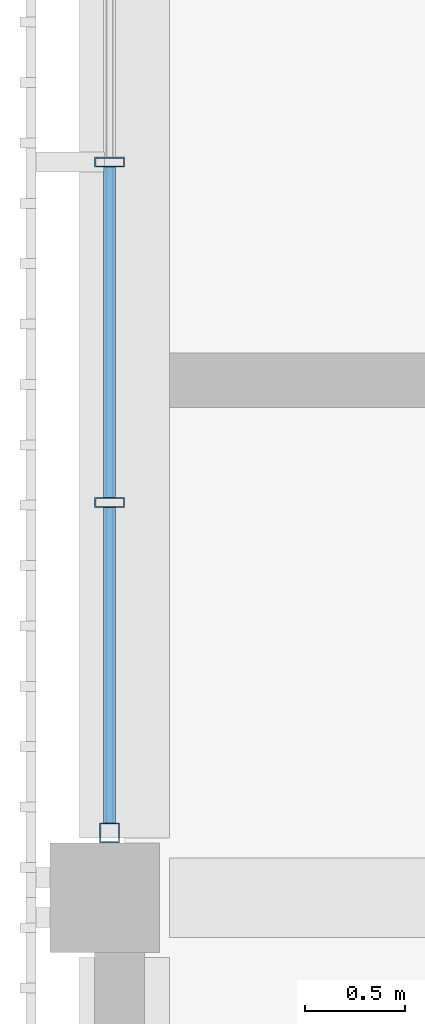
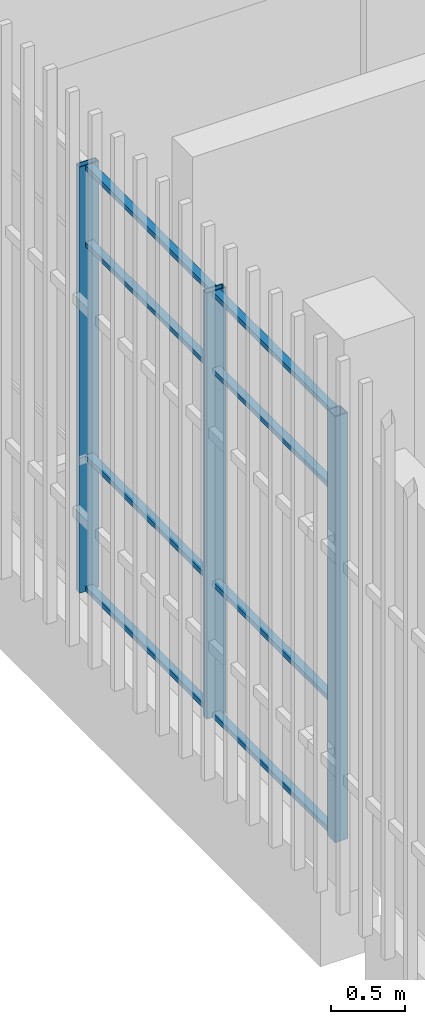
# One storey, part 7 of 124: 11 members, 1 element without a shape of its own.
"""IFC4 building model written with IfcOpenShell, lengths in metres."""

from ifc_helpers import new_model, si_unit, direction, frame, origin, origin_2d, place, context, subcontext, project, spatial, hollow_rectangle, extrude, material, layer, layer_set, material_profile, profile_set, type_object, element, aggregate, save


model = new_model("IFC4")

# Units and contexts
model_context = context("Model", 3, precision=1e-05, world=origin(), true_north=direction((0.0, 1.0)))
body_context = subcontext(model_context, "Body", "Model", "MODEL_VIEW")
ifc_project = project(units=[si_unit("LENGTHUNIT", "METRE"), si_unit("AREAUNIT", "SQUARE_METRE"), si_unit("VOLUMEUNIT", "CUBIC_METRE"), si_unit("PLANEANGLEUNIT", "RADIAN"), si_unit("MASSUNIT", "GRAM", prefix="KILO")], contexts=[model_context])

# Site, building, storey
site_placement = place(None, origin())
site = spatial("IfcSite", under=ifc_project, at=site_placement, CompositionType="ELEMENT")
building_placement = place(site_placement, origin())
building = spatial("IfcBuilding", under=site, at=building_placement, Name="Shirokan Park Arena", CompositionType="ELEMENT")
storey_placement = place(building_placement, frame((0.0, 0.0, 20.02001953125)))
storey = spatial("IfcBuildingStorey", under=building, at=storey_placement, Name="L04", CompositionType="ELEMENT", Elevation=20.02001953125)

# Curtain wall, members
ifc_material_1 = material(Name="Steel and glass curtain wall", Category="steel")
ifc_layer = layer(ifc_material_1, 0.14990234375)
ifc_layer_set = layer_set([ifc_layer], Name="Steel and glass curtain wall 150 mm")
curtain_wall_type = type_object("IfcCurtainWallType", Name="Curtain wall exposed bay 150", PredefinedType="NOTDEFINED", material=ifc_layer_set)
curtain_wall_placement = place(storey_placement, origin())
curtain_wall = element("IfcCurtainWall", 1, at=curtain_wall_placement, inside=storey, type_object=curtain_wall_type, Name="Curtain wall west bay 9 L04", PredefinedType="NOTDEFINED")
ifc_material_2 = material(Name="Steel S355", Category="steel")
ifc_material_profile_1 = material_profile(ifc_material_2, hollow_rectangle(XDim=0.10009765625, YDim=0.10009765625, WallThickness=0.006103515625, at=origin_2d()), Name="RHS 100x100x6")
ifc_profile_set_1 = profile_set([ifc_material_profile_1], Name="Steel S355")
member_type_1 = type_object("IfcMemberType", Name="Mullion RHS 100x100x6", PredefinedType="MULLION", material=ifc_profile_set_1)
member_1_placement = place(storey_placement, frame((-0.074951171875, 27.625, 0.0), z_axis=(0.0, 0.0, 1.0), x_axis=(1.0, 0.0, 0.0)))
member_1 = element("IfcMember", 2, at=member_1_placement, type_object=member_type_1, Name="CW1 mullion 6", PredefinedType="MULLION", context=body_context, shape_type="SweptSolid", body=[
    extrude(hollow_rectangle(XDim=0.10009765625, YDim=0.10009765625, WallThickness=0.006103515625, at=origin_2d()), origin(), (0.0, 0.0, 1.0), 3.5),
])
ifc_material_profile_2 = material_profile(ifc_material_2, hollow_rectangle(XDim=0.14990234375, YDim=0.050048828125, WallThickness=0.006103515625, at=origin_2d()), Name="RHS 150x50x6")
ifc_profile_set_2 = profile_set([ifc_material_profile_2], Name="Steel S355")
member_type_2 = type_object("IfcMemberType", Name="Mullion RHS 150x50x6", PredefinedType="MULLION", material=ifc_profile_set_2)
member_2_placement = place(storey_placement, frame((-0.074951171875, 30.9951171875, 0.0), z_axis=(0.0, 0.0, 1.0), x_axis=(1.0, 0.0, 0.0)))
member_2 = element("IfcMember", 3, at=member_2_placement, type_object=member_type_2, Name="CW1 mullion 4", PredefinedType="MULLION", context=body_context, shape_type="SweptSolid", body=[
    extrude(hollow_rectangle(XDim=0.14990234375, YDim=0.050048828125, WallThickness=0.006103515625, at=origin_2d()), origin(), (0.0, 0.0, 1.0), 3.5),
])
member_3_placement = place(storey_placement, frame((-0.074951171875, 29.284912109375, 0.0), z_axis=(0.0, 0.0, 1.0), x_axis=(1.0, 0.0, 0.0)))
member_3 = element("IfcMember", 4, at=member_3_placement, type_object=member_type_2, Name="CW1 mullion 5", PredefinedType="MULLION", context=body_context, shape_type="SweptSolid", body=[
    extrude(hollow_rectangle(XDim=0.14990234375, YDim=0.050048828125, WallThickness=0.006103515625, at=origin_2d()), origin(), (0.0, 0.0, 1.0), 3.5),
])
ifc_material_profile_3 = material_profile(ifc_material_2, hollow_rectangle(XDim=0.06005859375, YDim=0.0400390625, WallThickness=0.00390625, at=origin_2d()), Name="RHS 60x40x4")
ifc_profile_set_3 = profile_set([ifc_material_profile_3], Name="Steel S355")
member_type_3 = type_object("IfcMemberType", Name="Transom RHS 60x40x4", PredefinedType="MULLION", material=ifc_profile_set_3)
member_4_placement = place(storey_placement, frame((-0.074951171875, 30.969970703125, 0.02001953125), z_axis=(0.0, -1.0, 0.0), x_axis=(1.0, 0.0, 0.0)))
member_4 = element("IfcMember", 5, at=member_4_placement, type_object=member_type_3, Name="CW1 transom 4.1", PredefinedType="MULLION", context=body_context, shape_type="SweptSolid", body=[
    extrude(hollow_rectangle(XDim=0.06005859375, YDim=0.0400390625, WallThickness=0.00390625, at=origin_2d()), origin(), (0.0, 0.0, 1.0), 1.659912109375),
])
member_5_placement = place(storey_placement, frame((-0.074951171875, 30.969970703125, 1.10009765625), z_axis=(0.0, -1.0, 0.0), x_axis=(1.0, 0.0, 0.0)))
member_5 = element("IfcMember", 6, at=member_5_placement, type_object=member_type_3, Name="CW1 transom 4.2", PredefinedType="MULLION", context=body_context, shape_type="SweptSolid", body=[
    extrude(hollow_rectangle(XDim=0.06005859375, YDim=0.0400390625, WallThickness=0.00390625, at=origin_2d()), origin(), (0.0, 0.0, 1.0), 1.659912109375),
])
member_6_placement = place(storey_placement, frame((-0.074951171875, 30.969970703125, 2.85009765625), z_axis=(0.0, -1.0, 0.0), x_axis=(1.0, 0.0, 0.0)))
member_6 = element("IfcMember", 7, at=member_6_placement, type_object=member_type_3, Name="CW1 transom 4.3", PredefinedType="MULLION", context=body_context, shape_type="SweptSolid", body=[
    extrude(hollow_rectangle(XDim=0.06005859375, YDim=0.0400390625, WallThickness=0.00390625, at=origin_2d()), origin(), (0.0, 0.0, 1.0), 1.659912109375),
])
member_7_placement = place(storey_placement, frame((-0.074951171875, 30.969970703125, 3.47998046875), z_axis=(0.0, -1.0, 0.0), x_axis=(1.0, 0.0, 0.0)))
member_7 = element("IfcMember", 8, at=member_7_placement, type_object=member_type_3, Name="CW1 transom 4.4", PredefinedType="MULLION", context=body_context, shape_type="SweptSolid", body=[
    extrude(hollow_rectangle(XDim=0.06005859375, YDim=0.0400390625, WallThickness=0.00390625, at=origin_2d()), origin(), (0.0, 0.0, 1.0), 1.659912109375),
])
member_8_placement = place(storey_placement, frame((-0.074951171875, 29.260009765625, 0.02001953125), z_axis=(0.0, -1.0, 0.0), x_axis=(1.0, 0.0, 0.0)))
member_8 = element("IfcMember", 9, at=member_8_placement, type_object=member_type_3, Name="CW1 transom 5.1", PredefinedType="MULLION", context=body_context, shape_type="SweptSolid", body=[
    extrude(hollow_rectangle(XDim=0.06005859375, YDim=0.0400390625, WallThickness=0.00390625, at=origin_2d()), origin(), (0.0, 0.0, 1.0), 1.5849609375),
])
member_9_placement = place(storey_placement, frame((-0.074951171875, 29.260009765625, 1.10009765625), z_axis=(0.0, -1.0, 0.0), x_axis=(1.0, 0.0, 0.0)))
member_9 = element("IfcMember", 10, at=member_9_placement, type_object=member_type_3, Name="CW1 transom 5.2", PredefinedType="MULLION", context=body_context, shape_type="SweptSolid", body=[
    extrude(hollow_rectangle(XDim=0.06005859375, YDim=0.0400390625, WallThickness=0.00390625, at=origin_2d()), origin(), (0.0, 0.0, 1.0), 1.5849609375),
])
member_10_placement = place(storey_placement, frame((-0.074951171875, 29.260009765625, 2.85009765625), z_axis=(0.0, -1.0, 0.0), x_axis=(1.0, 0.0, 0.0)))
member_10 = element("IfcMember", 11, at=member_10_placement, type_object=member_type_3, Name="CW1 transom 5.3", PredefinedType="MULLION", context=body_context, shape_type="SweptSolid", body=[
    extrude(hollow_rectangle(XDim=0.06005859375, YDim=0.0400390625, WallThickness=0.00390625, at=origin_2d()), origin(), (0.0, 0.0, 1.0), 1.5849609375),
])
member_11_placement = place(storey_placement, frame((-0.074951171875, 29.260009765625, 3.47998046875), z_axis=(0.0, -1.0, 0.0), x_axis=(1.0, 0.0, 0.0)))
member_11 = element("IfcMember", 12, at=member_11_placement, type_object=member_type_3, Name="CW1 transom 5.4", PredefinedType="MULLION", context=body_context, shape_type="SweptSolid", body=[
    extrude(hollow_rectangle(XDim=0.06005859375, YDim=0.0400390625, WallThickness=0.00390625, at=origin_2d()), origin(), (0.0, 0.0, 1.0), 1.5849609375),
])
aggregate(curtain_wall, [member_2, member_3, member_1, member_4, member_5, member_6, member_7, member_8, member_9, member_10, member_11])

save(model, "model.ifc")
